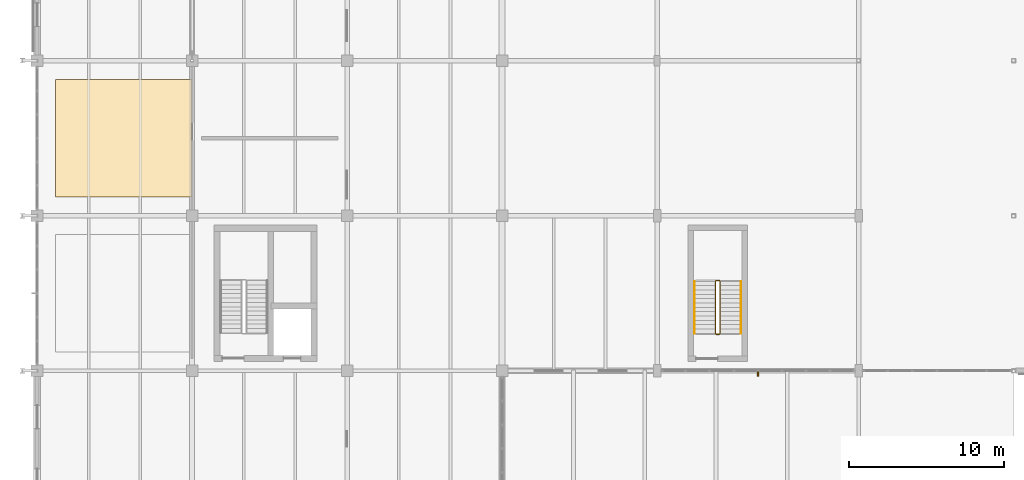
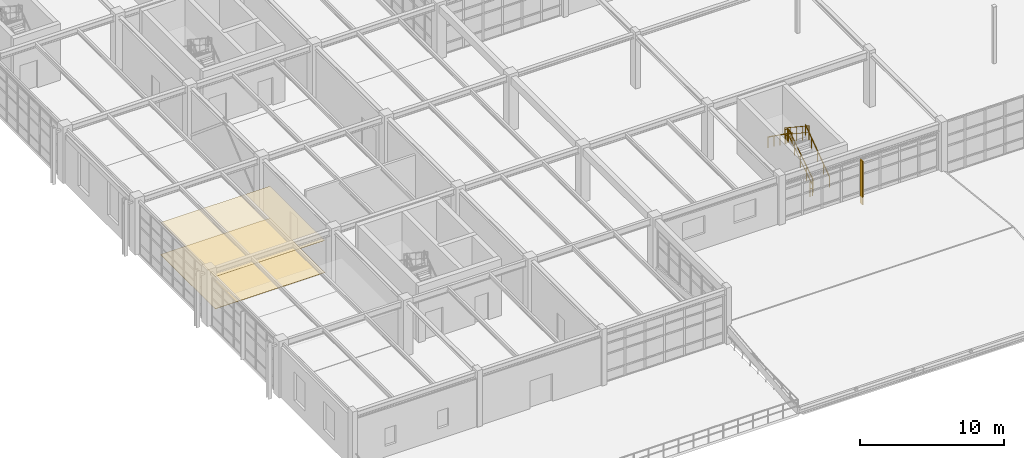
# One storey, part 126 of 139: 6 railings, 2 coverings, 1 shading device.
"""IFC4 building model written with IfcOpenShell, lengths in metres."""

from ifc_helpers import new_model, si_unit, direction, frame, origin, origin_2d, place, context, subcontext, project, spatial, polyline, rectangle, circle, outline, extrude, material, layer, layer_set, type_object, element, save


model = new_model("IFC4")

# Units and contexts
model_context = context("Model", 3, precision=1e-05, world=origin(), true_north=direction((0.0, 1.0)))
body_context = subcontext(model_context, "Body", "Model", "MODEL_VIEW")
ifc_project = project(units=[si_unit("LENGTHUNIT", "METRE"), si_unit("AREAUNIT", "SQUARE_METRE"), si_unit("VOLUMEUNIT", "CUBIC_METRE"), si_unit("PLANEANGLEUNIT", "RADIAN"), si_unit("MASSUNIT", "GRAM", prefix="KILO"), si_unit("THERMODYNAMICTEMPERATUREUNIT", "KELVIN"), si_unit("POWERUNIT", "WATT")], contexts=[model_context])

# Site, building, storey
site_placement = place(None, origin())
site = spatial("IfcSite", under=ifc_project, at=site_placement, CompositionType="ELEMENT")
building_placement = place(site_placement, origin())
building = spatial("IfcBuilding", under=site, at=building_placement, Name="Korenveer Ferry Terminal", CompositionType="ELEMENT")
storey_placement = place(building_placement, frame((0.0, 0.0, 5.39990234375)))
storey = spatial("IfcBuildingStorey", under=building, at=storey_placement, Name="L01", CompositionType="ELEMENT", Elevation=5.39990234375)

# Shading device
ifc_material_1 = material(Name="Anodised bronze aluminium solar fin", Category="aluminium")
shading_device_type = type_object("IfcShadingDeviceType", Name="ENV-SHD-FIN", PredefinedType="JALOUSIE", material=ifc_material_1)
shading_device_placement = place(storey_placement, frame((46.5, 19.840087890625, -0.019775390625), z_axis=(0.0, 0.0, 1.0), x_axis=(0.0, 1.0, 0.0)))
element("IfcShadingDevice", 1, at=shading_device_placement, inside=storey, type_object=shading_device_type, Name="Gothic solar fin 17", PredefinedType="JALOUSIE", context=body_context, shape_type="SweptSolid", body=[
    extrude(rectangle(XDim=0.360107421875, YDim=0.080078125, at=origin_2d()), origin(), (0.0, 0.0, 1.0), 3.68994140625),
])

# Coverings
ifc_material_2 = material(Name="Mineral acoustic ceiling board", Category="other")
ifc_layer_1 = layer(ifc_material_2, 0.02490234375)
ifc_layer_set_1 = layer_set([ifc_layer_1], Name="Mineral acoustic ceiling board")
covering_type_1 = type_object("IfcCoveringType", Name="INT-COV-CEIL", PredefinedType="CEILING", material=ifc_layer_set_1)
covering_1_placement = place(storey_placement, frame((0.0, 0.0, 2.72509765625)))
element("IfcCovering", 2, at=covering_1_placement, inside=storey, type_object=covering_type_1, Name="Acoustic room ceiling 6", PredefinedType="CEILING", context=body_context, shape_type="SweptSolid", body=[
    extrude(outline(polyline([(1.199951171875, 31.199951171875), (10.0, 31.199951171875), (10.0, 38.800048828125), (1.199951171875, 38.800048828125), (1.199951171875, 31.199951171875)])), origin(), (0.0, 0.0, 1.0), 0.02490234375),
])
ifc_material_3 = material(Name="Polished terrazzo tile finish", Category="masonry")
ifc_layer_2 = layer(ifc_material_3, 0.030029296875)
ifc_layer_set_2 = layer_set([ifc_layer_2], Name="Polished terrazzo tile finish")
covering_type_2 = type_object("IfcCoveringType", Name="INT-COV-FLR", PredefinedType="FLOORING", material=ifc_layer_set_2)
covering_2_placement = place(storey_placement, origin())
element("IfcCovering", 3, at=covering_2_placement, inside=storey, type_object=covering_type_2, Name="Terrazzo floor finish 6", PredefinedType="FLOORING", context=body_context, shape_type="SweptSolid", body=[
    extrude(outline(polyline([(1.199951171875, 31.199951171875), (10.0, 31.199951171875), (10.0, 38.800048828125), (1.199951171875, 38.800048828125), (1.199951171875, 31.199951171875)])), origin(), (0.0, 0.0, 1.0), 0.030029296875),
])

# Railings
ifc_material_4 = material(Name="Brushed stainless steel handrail", Category="steel")
railing_type_1 = type_object("IfcRailingType", Name="INT-RL-HND90", PredefinedType="HANDRAIL", material=ifc_material_4)
railing_1_placement = place(storey_placement, frame((45.409912109375, 22.409912109375, 0.184814453125)))
element("IfcRailing", 4, at=railing_1_placement, inside=storey, type_object=railing_type_1, Name="L01 ST09 stair handrail 1", PredefinedType="HANDRAIL", context=body_context, shape_type="SweptSolid", body=[
    extrude(circle(Radius=0.02392578125, at=origin_2d()), frame((0.0, 0.0, 0.8759765625), z_axis=(0.0, 0.813753445783, 0.581210228297), x_axis=(-1.0, 0.0, 0.0)), (0.0, 0.0, 1.0), 4.129150390625),
    extrude(circle(Radius=0.02099609375, at=origin_2d()), origin(), (0.0, 0.0, 1.0), 0.851806640625),
    extrude(circle(Radius=0.02099609375, at=origin_2d()), frame((0.0, 0.840087890625, 0.60009765625)), (0.0, 0.0, 1.0), 0.851806640625),
    extrude(circle(Radius=0.02099609375, at=origin_2d()), frame((0.0, 1.68017578125, 1.199951171875)), (0.0, 0.0, 1.0), 0.851806640625),
    extrude(circle(Radius=0.02099609375, at=origin_2d()), frame((0.0, 2.52001953125, 1.7998046875)), (0.0, 0.0, 1.0), 0.851806640625),
    extrude(circle(Radius=0.02099609375, at=origin_2d()), frame((0.0, 3.360107421875, 2.39990234375)), (0.0, 0.0, 1.0), 0.851806640625),
])
railing_2_placement = place(storey_placement, frame((42.409912109375, 25.77001953125, 2.584716796875)))
element("IfcRailing", 5, at=railing_2_placement, inside=storey, type_object=railing_type_1, Name="L01 ST09 stair handrail 2", PredefinedType="HANDRAIL", context=body_context, shape_type="SweptSolid", body=[
    extrude(circle(Radius=0.02392578125, at=origin_2d()), frame((0.0, 0.0, 0.8759765625), z_axis=(0.0, -0.813753445783, 0.581210228297), x_axis=(1.0, 0.0, 0.0)), (0.0, 0.0, 1.0), 4.129150390625),
    extrude(circle(Radius=0.02099609375, at=origin_2d()), origin(), (0.0, 0.0, 1.0), 0.851806640625),
    extrude(circle(Radius=0.02099609375, at=origin_2d()), frame((0.0, -0.840087890625, 0.60009765625)), (0.0, 0.0, 1.0), 0.851806640625),
    extrude(circle(Radius=0.02099609375, at=origin_2d()), frame((0.0, -1.68017578125, 1.199951171875)), (0.0, 0.0, 1.0), 0.851806640625),
    extrude(circle(Radius=0.02099609375, at=origin_2d()), frame((0.0, -2.52001953125, 1.7998046875)), (0.0, 0.0, 1.0), 0.851806640625),
    extrude(circle(Radius=0.02099609375, at=origin_2d()), frame((0.0, -3.360107421875, 2.39990234375)), (0.0, 0.0, 1.0), 0.851806640625),
])
ifc_material_5 = material(Name="Painted steel stair guard", Category="steel")
railing_type_2 = type_object("IfcRailingType", Name="INT-RL-STGRD", PredefinedType="GUARDRAIL", material=ifc_material_5)
railing_3_placement = place(storey_placement, frame((44.06005859375, 22.409912109375, 0.184814453125)))
element("IfcRailing", 6, at=railing_3_placement, inside=storey, type_object=railing_type_2, Name="L01 ST09 stair guard 1", PredefinedType="GUARDRAIL", context=body_context, shape_type="SweptSolid", body=[
    extrude(circle(Radius=0.02392578125, at=origin_2d()), frame((0.0, 0.0, 1.17578125), z_axis=(0.0, 0.834876476806, 0.550437342915), x_axis=(-1.0, 0.0, 0.0)), (0.0, 0.0, 1.0), 4.024658203125),
    extrude(circle(Radius=0.01806640625, at=origin_2d()), frame((0.0, 0.0, 0.6240234375), z_axis=(0.0, 0.834876476806, 0.550437342915), x_axis=(-1.0, 0.0, 0.0)), (0.0, 0.0, 1.0), 4.024658203125),
    extrude(circle(Radius=0.02099609375, at=origin_2d()), origin(), (0.0, 0.0, 1.0), 1.15185546875),
    extrude(circle(Radius=0.02099609375, at=origin_2d()), frame((0.0, 0.840087890625, 0.5537109375)), (0.0, 0.0, 1.0), 1.15185546875),
    extrude(circle(Radius=0.02099609375, at=origin_2d()), frame((0.0, 1.68017578125, 1.107666015625)), (0.0, 0.0, 1.0), 1.15185546875),
    extrude(circle(Radius=0.02099609375, at=origin_2d()), frame((0.0, 2.52001953125, 1.66162109375)), (0.0, 0.0, 1.0), 1.15185546875),
    extrude(circle(Radius=0.02099609375, at=origin_2d()), frame((0.0, 3.360107421875, 2.21533203125)), (0.0, 0.0, 1.0), 1.15185546875),
])
railing_4_placement = place(storey_placement, frame((44.010009765625, 25.820068359375, 2.400146484375)))
element("IfcRailing", 7, at=railing_4_placement, inside=storey, type_object=railing_type_2, Name="L01 ST09 stair guard 2", PredefinedType="GUARDRAIL", context=body_context, shape_type="SweptSolid", body=[
    extrude(circle(Radius=0.02392578125, at=origin_2d()), frame((0.0, 0.0, 1.17578125), z_axis=(-1.0, 0.0, 0.0), x_axis=(0.0, -1.0, 0.0)), (0.0, 0.0, 1.0), 0.199951171875),
    extrude(circle(Radius=0.01806640625, at=origin_2d()), frame((0.0, 0.0, 0.6240234375), z_axis=(-1.0, 0.0, 0.0), x_axis=(0.0, -1.0, 0.0)), (0.0, 0.0, 1.0), 0.199951171875),
    extrude(circle(Radius=0.02099609375, at=origin_2d()), origin(), (0.0, 0.0, 1.0), 1.15185546875),
    extrude(circle(Radius=0.02099609375, at=origin_2d()), frame((-0.199951171875, 0.0, 0.0)), (0.0, 0.0, 1.0), 1.15185546875),
])
railing_5_placement = place(storey_placement, frame((43.760009765625, 25.77001953125, 2.584716796875)))
element("IfcRailing", 8, at=railing_5_placement, inside=storey, type_object=railing_type_2, Name="L01 ST09 stair guard 3", PredefinedType="GUARDRAIL", context=body_context, shape_type="SweptSolid", body=[
    extrude(circle(Radius=0.02392578125, at=origin_2d()), frame((0.0, 0.0, 1.17578125), z_axis=(0.0, -0.834876476806, 0.550437342915), x_axis=(1.0, 0.0, 0.0)), (0.0, 0.0, 1.0), 4.024658203125),
    extrude(circle(Radius=0.01806640625, at=origin_2d()), frame((0.0, 0.0, 0.6240234375), z_axis=(0.0, -0.834876476806, 0.550437342915), x_axis=(1.0, 0.0, 0.0)), (0.0, 0.0, 1.0), 4.024658203125),
    extrude(circle(Radius=0.02099609375, at=origin_2d()), origin(), (0.0, 0.0, 1.0), 1.15185546875),
    extrude(circle(Radius=0.02099609375, at=origin_2d()), frame((0.0, -0.840087890625, 0.5537109375)), (0.0, 0.0, 1.0), 1.15185546875),
    extrude(circle(Radius=0.02099609375, at=origin_2d()), frame((0.0, -1.68017578125, 1.107666015625)), (0.0, 0.0, 1.0), 1.15185546875),
    extrude(circle(Radius=0.02099609375, at=origin_2d()), frame((0.0, -2.52001953125, 1.66162109375)), (0.0, 0.0, 1.0), 1.15185546875),
    extrude(circle(Radius=0.02099609375, at=origin_2d()), frame((0.0, -3.360107421875, 2.21533203125)), (0.0, 0.0, 1.0), 1.15185546875),
])
railing_6_placement = place(storey_placement, frame((44.010009765625, 22.360107421875, 0.0)))
element("IfcRailing", 9, at=railing_6_placement, inside=storey, type_object=railing_type_2, Name="L01 ST09 stair guard 4", PredefinedType="GUARDRAIL", context=body_context, shape_type="SweptSolid", body=[
    extrude(circle(Radius=0.02392578125, at=origin_2d()), frame((0.0, 0.0, 1.17578125), z_axis=(-1.0, 0.0, 0.0), x_axis=(0.0, -1.0, 0.0)), (0.0, 0.0, 1.0), 0.199951171875),
    extrude(circle(Radius=0.01806640625, at=origin_2d()), frame((0.0, 0.0, 0.6240234375), z_axis=(-1.0, 0.0, 0.0), x_axis=(0.0, -1.0, 0.0)), (0.0, 0.0, 1.0), 0.199951171875),
    extrude(circle(Radius=0.02099609375, at=origin_2d()), origin(), (0.0, 0.0, 1.0), 1.15185546875),
    extrude(circle(Radius=0.02099609375, at=origin_2d()), frame((-0.199951171875, 0.0, 0.0)), (0.0, 0.0, 1.0), 1.15185546875),
])

save(model, "model.ifc")
